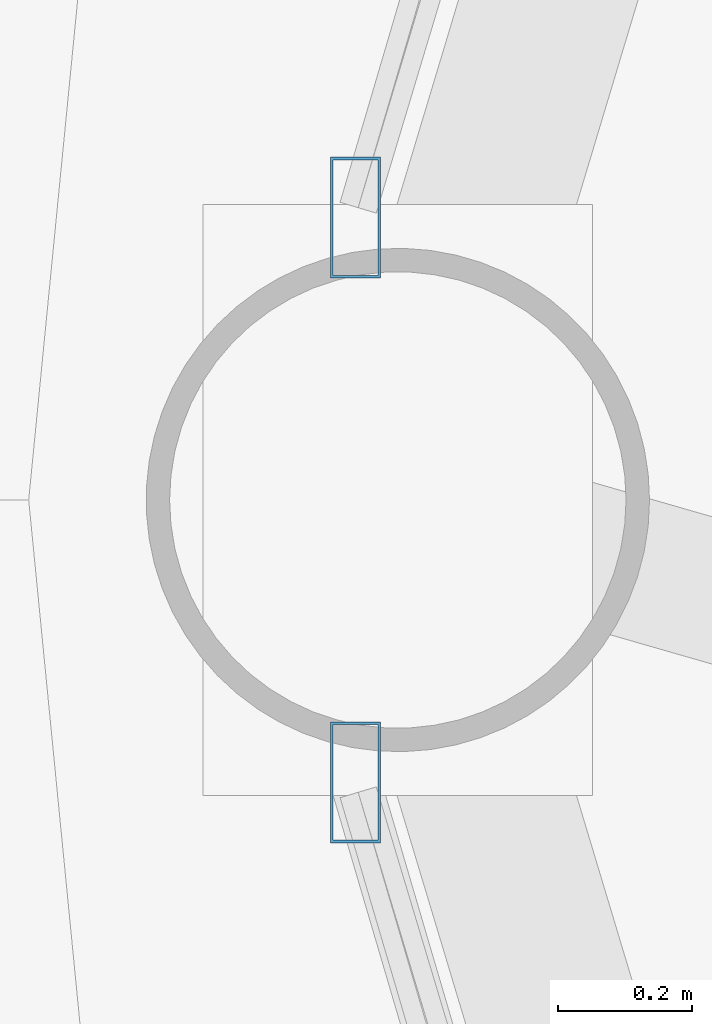
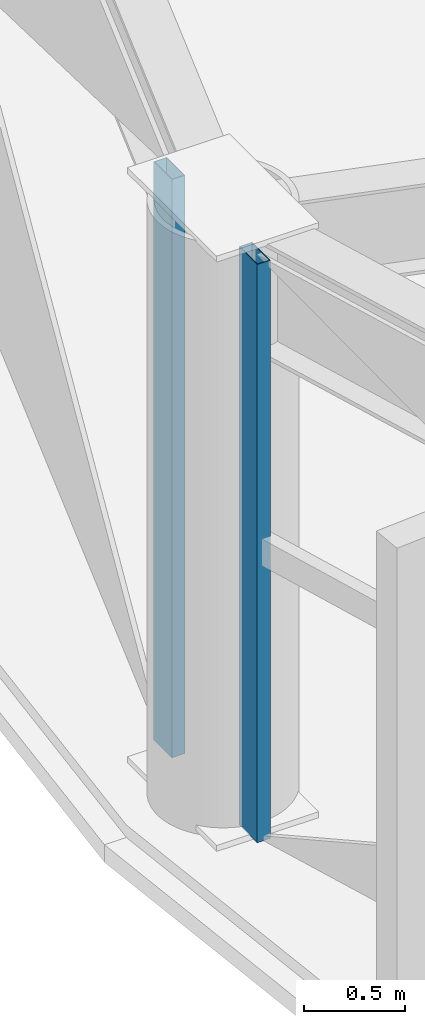
# One storey, part 7 of 32: 2 members, 2 elements without a shape of their own.
"""IFC4 building model written with IfcOpenShell, lengths in metres."""

from ifc_helpers import new_model, si_unit, direction, frame, origin, origin_2d, place, context, subcontext, project, spatial, hollow_rectangle, extrude, material, layer, layer_set, material_profile, profile_set, type_object, element, aggregate, save


model = new_model("IFC4")

# Units and contexts
model_context = context("Model", 3, precision=1e-05, world=origin(), true_north=direction((0.0, 1.0)))
body_context = subcontext(model_context, "Body", "Model", "MODEL_VIEW")
ifc_project = project(units=[si_unit("LENGTHUNIT", "METRE"), si_unit("AREAUNIT", "SQUARE_METRE"), si_unit("VOLUMEUNIT", "CUBIC_METRE"), si_unit("PLANEANGLEUNIT", "RADIAN"), si_unit("MASSUNIT", "GRAM", prefix="KILO")], contexts=[model_context])

# Site, building, storey
site_placement = place(None, origin())
site = spatial("IfcSite", under=ifc_project, at=site_placement, CompositionType="ELEMENT")
building_placement = place(site_placement, origin())
building = spatial("IfcBuilding", under=site, at=building_placement, Name="Vantalir Tower", CompositionType="ELEMENT")
storey_placement = place(building_placement, frame((0.0, 0.0, 108.449951171875)))
storey = spatial("IfcBuildingStorey", under=building, at=storey_placement, Name="L26", CompositionType="ELEMENT", Elevation=108.449951171875)

# Curtain wall, member
ifc_material_1 = material(Name="Champagne-silver PVDF aluminium and double-silver Low-E glass", Category="aluminium")
ifc_layer = layer(ifc_material_1, 0.199951171875)
ifc_layer_set = layer_set([ifc_layer], Name="Champagne-silver PVDF aluminium and double-silver Low-E glass")
curtain_wall_type = type_object("IfcCurtainWallType", Name="CW-DIAMOND-Z2", PredefinedType="USERDEFINED", material=ifc_layer_set)
curtain_wall_1_placement = place(storey_placement, origin())
curtain_wall_1 = element("IfcCurtainWall", 1, at=curtain_wall_1_placement, inside=storey, type_object=curtain_wall_type, Name="L26 Quilted Pyramid-Diamond Curtain Wall S06", ObjectType="UNITISED CURTAIN WALL", PredefinedType="USERDEFINED")
ifc_material_2 = material(Name="Champagne-silver PVDF aluminium 6063-T6", Category="aluminium")
ifc_material_profile = material_profile(ifc_material_2, hollow_rectangle(XDim=0.074951171875, YDim=0.179931640625, WallThickness=0.00390625, at=origin_2d()), Name="Champagne-silver PVDF aluminium 6063-T6")
ifc_profile_set = profile_set([ifc_material_profile], Name="Champagne-silver PVDF aluminium 6063-T6")
member_type = type_object("IfcMemberType", Name="CWM-180x75", PredefinedType="MULLION", material=ifc_profile_set)
member_1_placement = place(storey_placement, frame((5.84912109375, 25.4208984375, 0.045166015625), z_axis=(0.0, 0.0, 1.0), x_axis=(1.0, 0.0, 0.0)))
member_1 = element("IfcMember", 2, at=member_1_placement, type_object=member_type, Name="CW-L26-S06 Mullion 2", PredefinedType="MULLION", context=body_context, shape_type="SweptSolid", body=[
    extrude(hollow_rectangle(XDim=0.074951171875, YDim=0.179931640625, WallThickness=0.00390625, at=origin_2d()), origin(), (0.0, 0.0, 1.0), 3.47998046875),
])
aggregate(curtain_wall_1, [member_1])

curtain_wall_2_placement = place(storey_placement, origin())
curtain_wall_2 = element("IfcCurtainWall", 3, at=curtain_wall_2_placement, inside=storey, type_object=curtain_wall_type, Name="L26 Quilted Pyramid-Diamond Curtain Wall S07", ObjectType="UNITISED CURTAIN WALL", PredefinedType="USERDEFINED")
member_2_placement = place(storey_placement, frame((5.84912109375, 24.5791015625, 0.045166015625), z_axis=(0.0, 0.0, 1.0), x_axis=(1.0, 0.0, 0.0)))
member_2 = element("IfcMember", 4, at=member_2_placement, type_object=member_type, Name="CW-L26-S07 Mullion 1", PredefinedType="MULLION", context=body_context, shape_type="SweptSolid", body=[
    extrude(hollow_rectangle(XDim=0.074951171875, YDim=0.179931640625, WallThickness=0.00390625, at=origin_2d()), origin(), (0.0, 0.0, 1.0), 3.47998046875),
])
aggregate(curtain_wall_2, [member_2])

save(model, "model.ifc")
